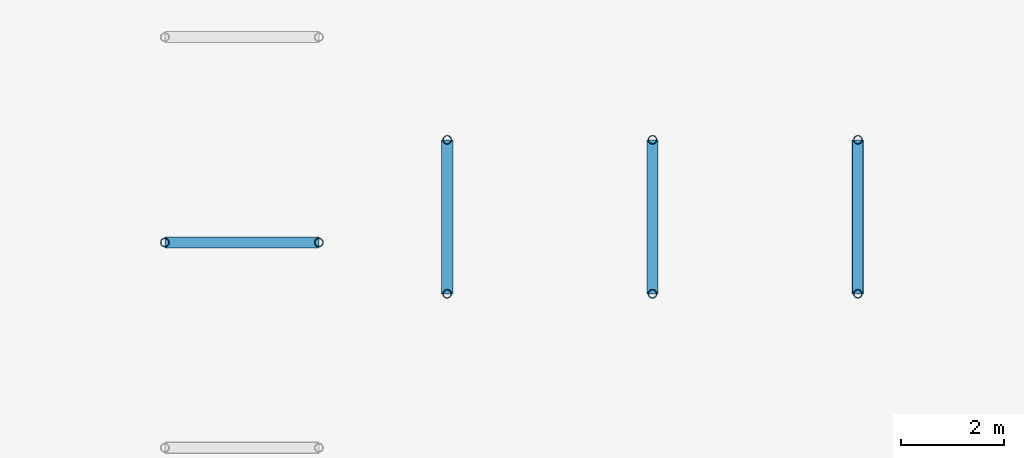
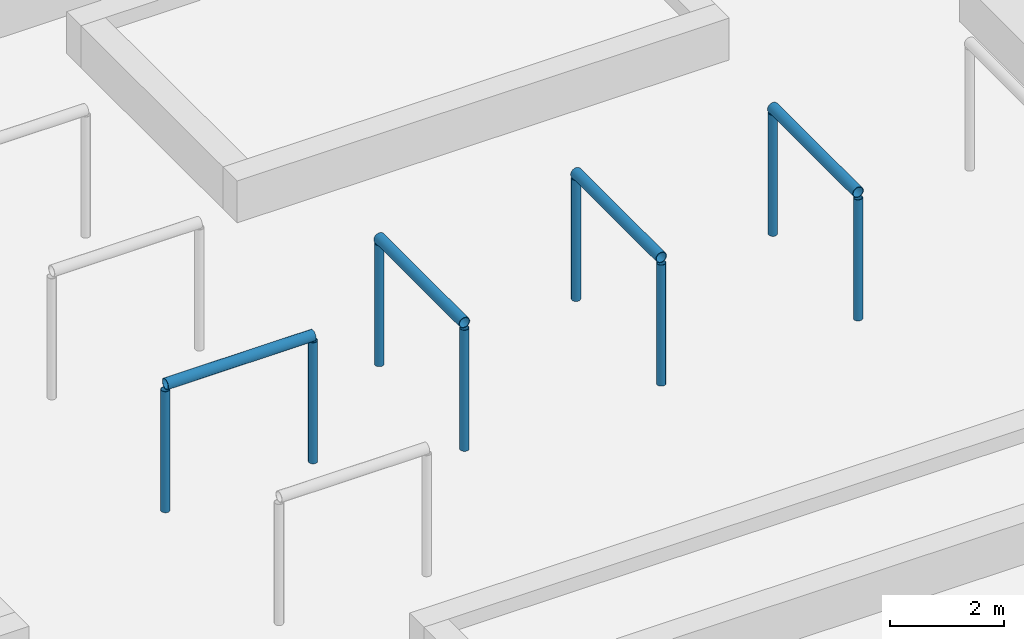
# One storey, part 7 of 34: 12 members.
"""IFC4 building model written with IfcOpenShell, lengths in metres."""

from ifc_helpers import new_model, si_unit, direction, frame, origin, origin_2d, place, context, subcontext, project, spatial, hollow_circle, extrude, material, material_profile, profile_set, type_object, element, save


model = new_model("IFC4")

# Units and contexts
model_context = context("Model", 3, precision=1e-05, world=origin(), true_north=direction((0.0, 1.0)))
body_context = subcontext(model_context, "Body", "Model", "MODEL_VIEW")
ifc_project = project(units=[si_unit("LENGTHUNIT", "METRE"), si_unit("AREAUNIT", "SQUARE_METRE"), si_unit("VOLUMEUNIT", "CUBIC_METRE"), si_unit("PLANEANGLEUNIT", "RADIAN"), si_unit("MASSUNIT", "GRAM", prefix="KILO")], contexts=[model_context])

# Site, building, storey
site_placement = place(None, origin())
site = spatial("IfcSite", under=ifc_project, at=site_placement, CompositionType="ELEMENT")
building_placement = place(site_placement, origin())
building = spatial("IfcBuilding", under=site, at=building_placement, Name="Amberfall Residences", CompositionType="ELEMENT")
storey_placement = place(building_placement, frame((0.0, 0.0, 5.5)))
storey = spatial("IfcBuildingStorey", under=building, at=storey_placement, Name="L01", CompositionType="ELEMENT", Elevation=5.5)

# Members
ifc_material = material(Name="Steel S355", Category="steel")
ifc_material_profile_1 = material_profile(ifc_material, hollow_circle(Radius=0.109619140625, WallThickness=0.010009765625, at=origin_2d()), Name="CHS 219.1x10")
ifc_profile_set_1 = profile_set([ifc_material_profile_1], Name="Steel S355")
member_type_1 = type_object("IfcMemberType", Name="Pergola beam CHS 219.1x10", PredefinedType="STRUT", material=ifc_profile_set_1)
for number, where, z_axis, x_axis, name in (
    (1, (116.5, 21.0, 2.70947265625), (1.0, 0.0, 0.0), (0.0, 1.0, 0.0), "Pergola beam A2"),
    (2, (122.0, 20.0, 2.70947265625), (0.0, 1.0, 0.0), (-1.0, 0.0, 0.0), "Pergola beam C1"),
    (3, (126.0, 20.0, 2.70947265625), (0.0, 1.0, 0.0), (-1.0, 0.0, 0.0), "Pergola beam C2"),
    (4, (130.0, 20.0, 2.70947265625), (0.0, 1.0, 0.0), (-1.0, 0.0, 0.0), "Pergola beam C3"),
):
    element("IfcMember", number, at=place(storey_placement, frame(where, z_axis=z_axis, x_axis=x_axis)), inside=storey, type_object=member_type_1, Name=name, PredefinedType="STRUT", context=body_context, shape_type="SweptSolid", body=[
        extrude(hollow_circle(Radius=0.109619140625, WallThickness=0.010009765625, at=origin_2d()), origin(), (0.0, 0.0, 1.0), 3.0),
    ])
ifc_material_profile_2 = material_profile(ifc_material, hollow_circle(Radius=0.084228515625, WallThickness=0.008056640625, at=origin_2d()), Name="CHS 168.3x8")
ifc_profile_set_2 = profile_set([ifc_material_profile_2], Name="Steel S355")
member_type_2 = type_object("IfcMemberType", Name="Pergola post CHS 168.3x8", PredefinedType="POST", material=ifc_profile_set_2)
for number, where, z_axis, x_axis, name in (
    (5, (116.5, 21.0, 0.0), (0.0, 0.0, 1.0), (1.0, 0.0, 0.0), "Pergola post A2"),
    (6, (119.5, 21.0, 0.0), (0.0, 0.0, 1.0), (1.0, 0.0, 0.0), "Pergola post A2"),
    (7, (122.0, 20.0, 0.0), (0.0, 0.0, 1.0), (1.0, 0.0, 0.0), "Pergola post C1"),
    (8, (122.0, 23.0, 0.0), (0.0, 0.0, 1.0), (1.0, 0.0, 0.0), "Pergola post C1"),
    (9, (126.0, 20.0, 0.0), (0.0, 0.0, 1.0), (1.0, 0.0, 0.0), "Pergola post C2"),
    (10, (126.0, 23.0, 0.0), (0.0, 0.0, 1.0), (1.0, 0.0, 0.0), "Pergola post C2"),
    (11, (130.0, 20.0, 0.0), (0.0, 0.0, 1.0), (1.0, 0.0, 0.0), "Pergola post C3"),
    (12, (130.0, 23.0, 0.0), (0.0, 0.0, 1.0), (1.0, 0.0, 0.0), "Pergola post C3"),
):
    element("IfcMember", number, at=place(storey_placement, frame(where, z_axis=z_axis, x_axis=x_axis)), inside=storey, type_object=member_type_2, Name=name, PredefinedType="POST", context=body_context, shape_type="SweptSolid", body=[
        extrude(hollow_circle(Radius=0.084228515625, WallThickness=0.008056640625, at=origin_2d()), origin(), (0.0, 0.0, 1.0), 2.60009765625),
    ])

save(model, "model.ifc")
